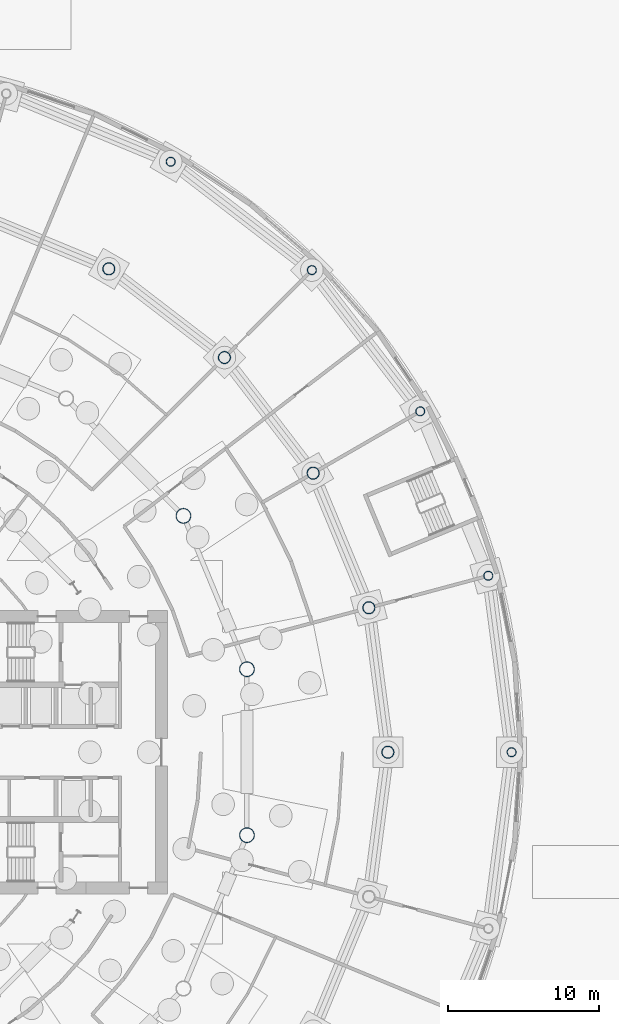
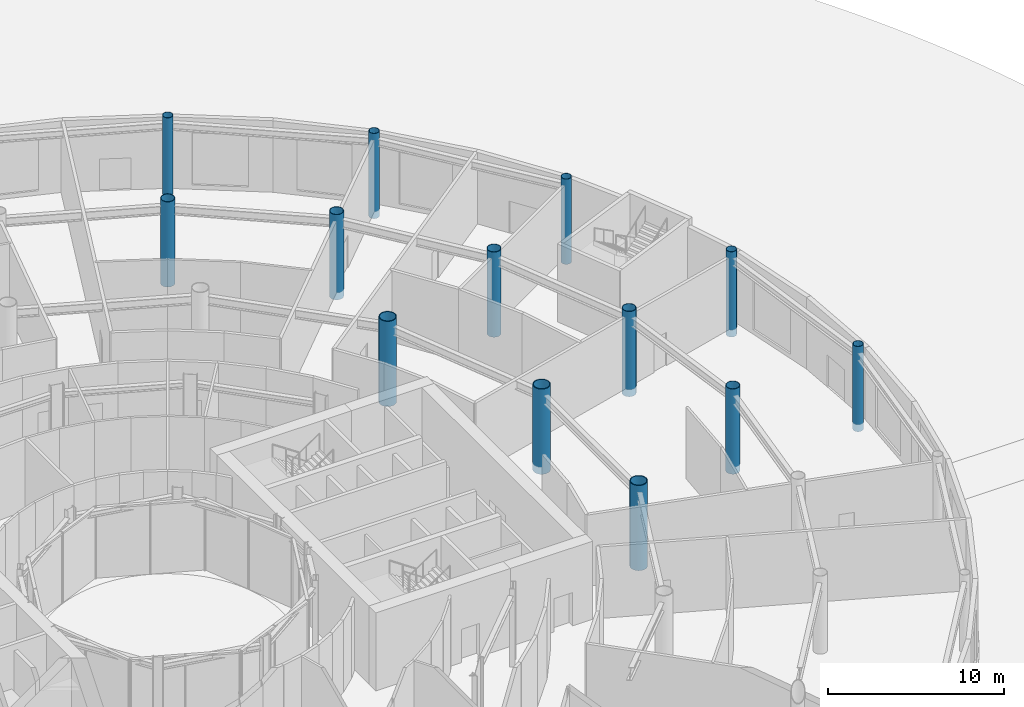
# One storey, part 10 of 41: 13 columns.
"""IFC4 building model written with IfcOpenShell, lengths in metres."""

from ifc_helpers import new_model, si_unit, direction, frame, origin, origin_2d, place, context, subcontext, project, spatial, hollow_circle, extrude, material, material_profile, profile_set, type_object, element, save


model = new_model("IFC4")

# Units and contexts
model_context = context("Model", 3, precision=1e-05, world=origin(), true_north=direction((0.0, 1.0)))
body_context = subcontext(model_context, "Body", "Model", "MODEL_VIEW")
ifc_project = project(units=[si_unit("LENGTHUNIT", "METRE"), si_unit("AREAUNIT", "SQUARE_METRE"), si_unit("VOLUMEUNIT", "CUBIC_METRE"), si_unit("PLANEANGLEUNIT", "RADIAN"), si_unit("MASSUNIT", "GRAM", prefix="KILO")], contexts=[model_context])

# Site, building, storey
site_placement = place(None, origin())
site = spatial("IfcSite", under=ifc_project, at=site_placement, CompositionType="ELEMENT")
building_placement = place(site_placement, origin())
building = spatial("IfcBuilding", under=site, at=building_placement, Name="Maasbend Ring Residences", CompositionType="ELEMENT")
storey_placement = place(building_placement, origin())
storey = spatial("IfcBuildingStorey", under=building, at=storey_placement, Name="L00", CompositionType="ELEMENT", Elevation=0.0)

# Columns
ifc_material_1 = material(Name="Composite concrete-filled steel tube S460NH / C80/95", Category="concrete")
ifc_material_profile_1 = material_profile(ifc_material_1, hollow_circle(Radius=0.508056640625, WallThickness=0.050048828125, at=origin_2d()), Name="Composite tube column CHS 1016x50")
ifc_profile_set_1 = profile_set([ifc_material_profile_1], Name="Composite concrete-filled steel tube S460NH / C80/95")
column_type_1 = type_object("IfcColumnType", Name="Composite tube column CHS 1016x50", PredefinedType="COLUMN", material=ifc_profile_set_1)
for number, where, z_axis, x_axis, name in (
    (1, (27.658203125, 5.50146484375, -0.5), (0.0, 0.0, 1.0), (1.0, 0.0, 0.0), "Outer column R1"),
    (2, (23.447509765625, 15.6669921875, -0.5), (0.0, 0.0, 1.0), (1.0, 0.0, 0.0), "Outer column R2"),
    (3, (27.658203125, -5.50146484375, -0.5), (0.0, 0.0, 1.0), (1.0, 0.0, 0.0), "Outer column R16"),
):
    element("IfcColumn", number, at=place(storey_placement, frame(where, z_axis=z_axis, x_axis=x_axis)), inside=storey, type_object=column_type_1, Name=name, PredefinedType="COLUMN", context=body_context, shape_type="SweptSolid", body=[
        extrude(hollow_circle(Radius=0.508056640625, WallThickness=0.050048828125, at=origin_2d()), origin(), (0.0, 0.0, 1.0), 5.89990234375),
    ])
ifc_material_2 = material(Name="Composite concrete-filled steel tube S460NH / C80/95", Category="concrete")
ifc_material_profile_2 = material_profile(ifc_material_2, hollow_circle(Radius=0.304931640625, WallThickness=0.02490234375, at=origin_2d()), Name="Composite tube column CHS 610x25")
ifc_profile_set_2 = profile_set([ifc_material_profile_2], Name="Composite concrete-filled steel tube S460NH / C80/95")
column_type_2 = type_object("IfcColumnType", Name="Composite tube column CHS 610x25", PredefinedType="COLUMN", material=ifc_profile_set_2)
for number, where, z_axis, x_axis, name in (
    (4, (45.199951171875, 0.0, -0.5), (0.0, 0.0, 1.0), (1.0, 0.0, 0.0), "Deck edge column B01"),
    (5, (43.659912109375, 11.698486328125, -0.5), (0.0, 0.0, 1.0), (1.0, 0.0, 0.0), "Deck edge column B02"),
    (6, (39.144287109375, 22.60009765625, -0.5), (0.0, 0.0, 1.0), (1.0, 0.0, 0.0), "Deck edge column B03"),
    (7, (31.961181640625, 31.961181640625, -0.5), (0.0, 0.0, 1.0), (1.0, 0.0, 0.0), "Deck edge column B04"),
    (8, (22.60009765625, 39.144287109375, -0.5), (0.0, 0.0, 1.0), (1.0, 0.0, 0.0), "Deck edge column B05"),
):
    element("IfcColumn", number, at=place(storey_placement, frame(where, z_axis=z_axis, x_axis=x_axis)), inside=storey, type_object=column_type_2, Name=name, PredefinedType="COLUMN", context=body_context, shape_type="SweptSolid", body=[
        extrude(hollow_circle(Radius=0.304931640625, WallThickness=0.02490234375, at=origin_2d()), origin(), (0.0, 0.0, 1.0), 5.89990234375),
    ])
ifc_material_3 = material(Name="Composite concrete-filled steel tube S460NH / C80/95", Category="concrete")
ifc_material_profile_3 = material_profile(ifc_material_3, hollow_circle(Radius=0.406494140625, WallThickness=0.030029296875, at=origin_2d()), Name="Composite tube column CHS 813x30")
ifc_profile_set_3 = profile_set([ifc_material_profile_3], Name="Composite concrete-filled steel tube S460NH / C80/95")
column_type_3 = type_object("IfcColumnType", Name="Composite tube column CHS 813x30", PredefinedType="COLUMN", material=ifc_profile_set_3)
for number, where, z_axis, x_axis, name in (
    (9, (37.0, 0.0, -0.5), (0.0, 0.0, 1.0), (1.0, 0.0, 0.0), "Podium column B01"),
    (10, (35.7392578125, 9.576416015625, -0.5), (0.0, 0.0, 1.0), (1.0, 0.0, 0.0), "Podium column B02"),
    (11, (32.04296875, 18.5, -0.5), (0.0, 0.0, 1.0), (1.0, 0.0, 0.0), "Podium column B03"),
    (12, (26.1630859375, 26.1630859375, -0.5), (0.0, 0.0, 1.0), (1.0, 0.0, 0.0), "Podium column B04"),
    (13, (18.5, 32.04296875, -0.5), (0.0, 0.0, 1.0), (1.0, 0.0, 0.0), "Podium column B05"),
):
    element("IfcColumn", number, at=place(storey_placement, frame(where, z_axis=z_axis, x_axis=x_axis)), inside=storey, type_object=column_type_3, Name=name, PredefinedType="COLUMN", context=body_context, shape_type="SweptSolid", body=[
        extrude(hollow_circle(Radius=0.406494140625, WallThickness=0.030029296875, at=origin_2d()), origin(), (0.0, 0.0, 1.0), 5.89990234375),
    ])

save(model, "model.ifc")
